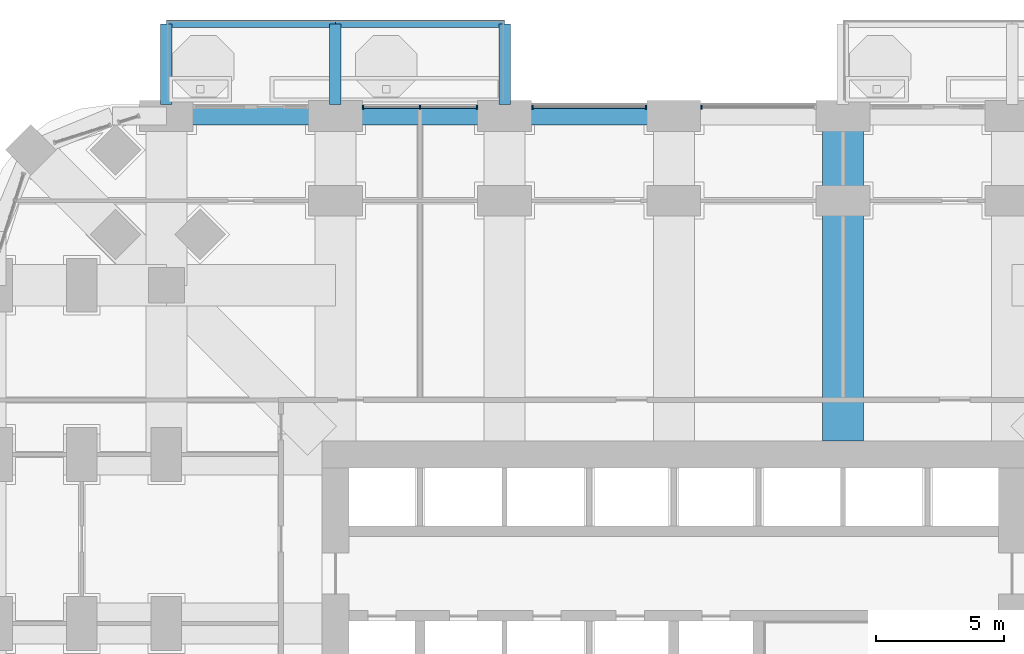
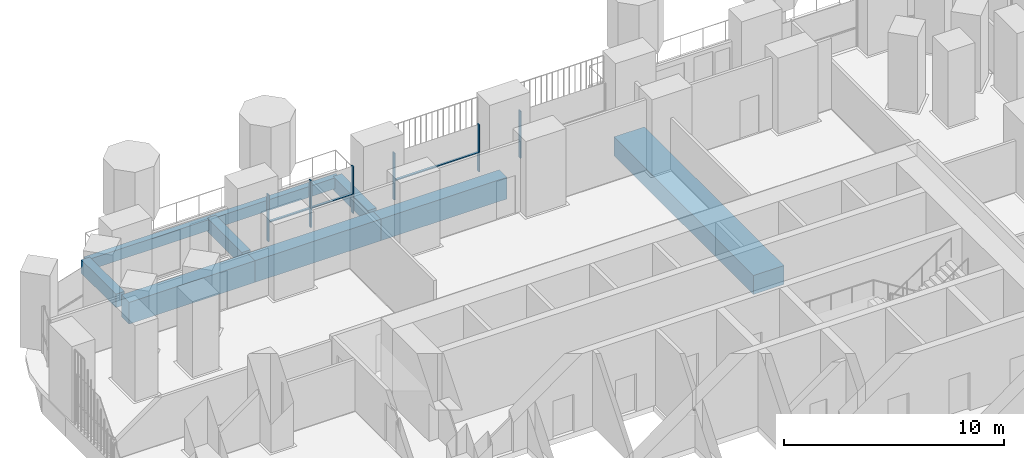
# One storey, part 8 of 27: 9 beams, 9 members, 3 elements without a shape of their own.
"""IFC4 building model written with IfcOpenShell, lengths in metres."""

from ifc_helpers import new_model, si_unit, direction, frame, origin, origin_2d, place, context, subcontext, project, spatial, rectangle, extrude, material, material_profile, profile_set, type_object, element, aggregate, save


model = new_model("IFC4")

# Units and contexts
model_context = context("Model", 3, precision=1e-05, world=origin(), true_north=direction((0.0, 1.0)))
body_context = subcontext(model_context, "Body", "Model", "MODEL_VIEW")
ifc_project = project(units=[si_unit("LENGTHUNIT", "METRE"), si_unit("AREAUNIT", "SQUARE_METRE"), si_unit("VOLUMEUNIT", "CUBIC_METRE"), si_unit("PLANEANGLEUNIT", "RADIAN"), si_unit("MASSUNIT", "GRAM", prefix="KILO")], contexts=[model_context])

# Site, building, storey
site_placement = place(None, origin())
site = spatial("IfcSite", under=ifc_project, at=site_placement, CompositionType="ELEMENT")
building_placement = place(site_placement, origin())
building = spatial("IfcBuilding", under=site, at=building_placement, Name="Cobogo Forest Laboratory Tower", CompositionType="ELEMENT")
storey_placement = place(building_placement, frame((0.0, 0.0, 63.300048828125)))
storey = spatial("IfcBuildingStorey", under=building, at=storey_placement, Name="L14", CompositionType="ELEMENT", Elevation=63.300048828125)

# Beams
ifc_material_1 = material(Name="Concrete HA-40 (C40/50)", Category="concrete")
ifc_material_profile_1 = material_profile(ifc_material_1, rectangle(XDim=0.449951171875, YDim=0.75, at=origin_2d()), Name="RC 450x750")
ifc_profile_set_1 = profile_set([ifc_material_profile_1], Name="Concrete HA-40 (C40/50)")
beam_type_1 = type_object("IfcBeamType", Name="Balcony cantilever beam 450x750", PredefinedType="BEAM", material=ifc_profile_set_1)
for number, where, z_axis, x_axis, name in (
    (1, (6.60009765625, 46.64990234375, -0.625), (0.0, 1.0, 0.0), (-1.0, 0.0, 0.0), "CB1 BAL-N1-C1 L14"),
    (2, (13.199951171875, 46.64990234375, -0.625), (0.0, 1.0, 0.0), (-1.0, 0.0, 0.0), "CB1 BAL-N1-C2 L14"),
    (3, (19.800048828125, 46.64990234375, -0.625), (0.0, 1.0, 0.0), (-1.0, 0.0, 0.0), "CB1 BAL-N1-C3 L14"),
):
    element("IfcBeam", number, at=place(storey_placement, frame(where, z_axis=z_axis, x_axis=x_axis)), inside=storey, type_object=beam_type_1, Name=name, PredefinedType="BEAM", context=body_context, shape_type="SweptSolid", body=[
        extrude(rectangle(XDim=0.449951171875, YDim=0.75, at=origin_2d()), origin(), (0.0, 0.0, 1.0), 3.150146484375),
    ])
ifc_material_profile_2 = material_profile(ifc_material_1, rectangle(XDim=0.300048828125, YDim=0.60009765625, at=origin_2d()), Name="RC 300x600")
ifc_profile_set_2 = profile_set([ifc_material_profile_2], Name="Concrete HA-40 (C40/50)")
beam_type_2 = type_object("IfcBeamType", Name="Balcony edge beam 300x600", PredefinedType="BEAM", material=ifc_profile_set_2)
beam_1_placement = place(storey_placement, frame((6.60009765625, 49.800048828125, -0.550048828125), z_axis=(1.0, 0.0, 0.0), x_axis=(0.0, 1.0, 0.0)))
element("IfcBeam", 4, at=beam_1_placement, inside=storey, type_object=beam_type_2, Name="BB1 BAL-N1-T1 L14", PredefinedType="BEAM", context=body_context, shape_type="SweptSolid", body=[
    extrude(rectangle(XDim=0.300048828125, YDim=0.60009765625, at=origin_2d()), origin(), (0.0, 0.0, 1.0), 6.599853515625),
])
beam_2_placement = place(storey_placement, frame((13.199951171875, 49.800048828125, -0.550048828125), z_axis=(1.0, 0.0, 0.0), x_axis=(0.0, 1.0, 0.0)))
element("IfcBeam", 5, at=beam_2_placement, inside=storey, type_object=beam_type_2, Name="BB1 BAL-N1-T2 L14", PredefinedType="BEAM", context=body_context, shape_type="SweptSolid", body=[
    extrude(rectangle(XDim=0.300048828125, YDim=0.60009765625, at=origin_2d()), origin(), (0.0, 0.0, 1.0), 6.60009765625),
])
ifc_material_2 = material(Name="Concrete HA-50 (C50/60)", Category="concrete")
ifc_material_profile_3 = material_profile(ifc_material_2, rectangle(XDim=1.60009765625, YDim=1.050048828125, at=origin_2d()), Name="RC 1600x1050")
ifc_profile_set_3 = profile_set([ifc_material_profile_3], Name="Concrete HA-50 (C50/60)")
beam_type_3 = type_object("IfcBeamType", Name="Laboratory floor wide beam 1600x1050", PredefinedType="BEAM", material=ifc_profile_set_3)
beam_3_placement = place(storey_placement, frame((33.0, 33.52490234375, -0.824951171875), z_axis=(0.0, 1.0, 0.0), x_axis=(-1.0, 0.0, 0.0)))
element("IfcBeam", 6, at=beam_3_placement, inside=storey, type_object=beam_type_3, Name="RB8 R-6-N L14", PredefinedType="BEAM", context=body_context, shape_type="SweptSolid", body=[
    extrude(rectangle(XDim=1.60009765625, YDim=1.050048828125, at=origin_2d()), origin(), (0.0, 0.0, 1.0), 12.675048828125),
])

# Curtain wall, member
ifc_material_3 = material(Name="Aluminium curtain wall", Category="aluminium")
curtain_wall_type = type_object("IfcCurtainWallType", Name="CW-1 unitised curtain wall, clear glazing, laboratory floors zones A and B", PredefinedType="USERDEFINED", material=ifc_material_3)
curtain_wall_1_placement = place(storey_placement, origin())
curtain_wall_1 = element("IfcCurtainWall", 7, at=curtain_wall_1_placement, inside=storey, type_object=curtain_wall_type, Name="Curtain wall 20 L14", ObjectType="UNITISED CURTAIN WALL", PredefinedType="USERDEFINED")
ifc_material_4 = material(Name="Aluminium mullion", Category="aluminium")
ifc_material_profile_4 = material_profile(ifc_material_4, rectangle(XDim=0.06005859375, YDim=0.159912109375, at=origin_2d()), Name="AL 60x160")
ifc_profile_set_4 = profile_set([ifc_material_profile_4], Name="Aluminium mullion")
member_type_1 = type_object("IfcMemberType", Name="MU-1 aluminium mullion 60x160", PredefinedType="MULLION", material=ifc_profile_set_4)
member_1_placement = place(storey_placement, frame((27.47998046875, 46.550048828125, 0.0), z_axis=(0.0, 0.0, 1.0), x_axis=(-1.0, 0.0, 0.0)))
member_1 = element("IfcMember", 8, at=member_1_placement, type_object=member_type_1, Name="CW-1 mullion 2", PredefinedType="MULLION", context=body_context, shape_type="SweptSolid", body=[
    extrude(rectangle(XDim=0.06005859375, YDim=0.159912109375, at=origin_2d()), origin(), (0.0, 0.0, 1.0), 2.599853515625),
])
aggregate(curtain_wall_1, [member_1])

# Curtain wall, members
curtain_wall_2_placement = place(storey_placement, origin())
curtain_wall_2 = element("IfcCurtainWall", 9, at=curtain_wall_2_placement, inside=storey, type_object=curtain_wall_type, Name="Curtain wall 21 L14", ObjectType="UNITISED CURTAIN WALL", PredefinedType="USERDEFINED")
member_2_placement = place(storey_placement, frame((25.320068359375, 46.550048828125, 0.0), z_axis=(0.0, 0.0, 1.0), x_axis=(-1.0, 0.0, 0.0)))
member_2 = element("IfcMember", 10, at=member_2_placement, type_object=member_type_1, Name="CW-1 mullion 1", PredefinedType="MULLION", context=body_context, shape_type="SweptSolid", body=[
    extrude(rectangle(XDim=0.06005859375, YDim=0.159912109375, at=origin_2d()), origin(), (0.0, 0.0, 1.0), 2.599853515625),
])
member_3_placement = place(storey_placement, frame((20.8798828125, 46.550048828125, 0.0), z_axis=(0.0, 0.0, 1.0), x_axis=(-1.0, 0.0, 0.0)))
member_3 = element("IfcMember", 11, at=member_3_placement, type_object=member_type_1, Name="CW-1 mullion 2", PredefinedType="MULLION", context=body_context, shape_type="SweptSolid", body=[
    extrude(rectangle(XDim=0.06005859375, YDim=0.159912109375, at=origin_2d()), origin(), (0.0, 0.0, 1.0), 2.599853515625),
])

curtain_wall_3_placement = place(storey_placement, origin())
curtain_wall_3 = element("IfcCurtainWall", 12, at=curtain_wall_3_placement, inside=storey, type_object=curtain_wall_type, Name="Curtain wall 22 L14", ObjectType="UNITISED CURTAIN WALL", PredefinedType="USERDEFINED")
member_4_placement = place(storey_placement, frame((18.719970703125, 46.550048828125, 0.0), z_axis=(0.0, 0.0, 1.0), x_axis=(-1.0, 0.0, 0.0)))
member_4 = element("IfcMember", 13, at=member_4_placement, type_object=member_type_1, Name="CW-1 mullion 1", PredefinedType="MULLION", context=body_context, shape_type="SweptSolid", body=[
    extrude(rectangle(XDim=0.06005859375, YDim=0.159912109375, at=origin_2d()), origin(), (0.0, 0.0, 1.0), 2.599853515625),
])
member_5_placement = place(storey_placement, frame((16.5, 46.550048828125, 0.0), z_axis=(0.0, 0.0, 1.0), x_axis=(-1.0, 0.0, 0.0)))
member_5 = element("IfcMember", 14, at=member_5_placement, type_object=member_type_1, Name="CW-1 mullion 2", PredefinedType="MULLION", context=body_context, shape_type="SweptSolid", body=[
    extrude(rectangle(XDim=0.06005859375, YDim=0.159912109375, at=origin_2d()), origin(), (0.0, 0.0, 1.0), 2.599853515625),
])
member_6_placement = place(storey_placement, frame((14.280029296875, 46.550048828125, 0.0), z_axis=(0.0, 0.0, 1.0), x_axis=(-1.0, 0.0, 0.0)))
member_6 = element("IfcMember", 15, at=member_6_placement, type_object=member_type_1, Name="CW-1 mullion 3", PredefinedType="MULLION", context=body_context, shape_type="SweptSolid", body=[
    extrude(rectangle(XDim=0.06005859375, YDim=0.159912109375, at=origin_2d()), origin(), (0.0, 0.0, 1.0), 2.599853515625),
])

# Beams
ifc_material_profile_5 = material_profile(ifc_material_1, rectangle(XDim=0.699951171875, YDim=1.199951171875, at=origin_2d()), Name="RC 700x1200")
ifc_profile_set_5 = profile_set([ifc_material_profile_5], Name="Concrete HA-40 (C40/50)")
beam_type_4 = type_object("IfcBeamType", Name="Perimeter edge beam 700x1200", PredefinedType="BEAM", material=ifc_profile_set_5)
beam_4_placement = place(storey_placement, frame((6.60009765625, 46.199951171875, -0.900146484375), z_axis=(1.0, 0.0, 0.0), x_axis=(0.0, 1.0, 0.0)))
element("IfcBeam", 16, at=beam_4_placement, inside=storey, type_object=beam_type_4, Name="EB1 E-N1 L14", PredefinedType="BEAM", context=body_context, shape_type="SweptSolid", body=[
    extrude(rectangle(XDim=0.699951171875, YDim=1.199951171875, at=origin_2d()), origin(), (0.0, 0.0, 1.0), 6.599853515625),
])
beam_5_placement = place(storey_placement, frame((13.199951171875, 46.199951171875, -0.900146484375), z_axis=(1.0, 0.0, 0.0), x_axis=(0.0, 1.0, 0.0)))
element("IfcBeam", 17, at=beam_5_placement, inside=storey, type_object=beam_type_4, Name="EB1 E-N2 L14", PredefinedType="BEAM", context=body_context, shape_type="SweptSolid", body=[
    extrude(rectangle(XDim=0.699951171875, YDim=1.199951171875, at=origin_2d()), origin(), (0.0, 0.0, 1.0), 6.60009765625),
])
beam_6_placement = place(storey_placement, frame((19.800048828125, 46.199951171875, -0.900146484375), z_axis=(1.0, 0.0, 0.0), x_axis=(0.0, 1.0, 0.0)))
element("IfcBeam", 18, at=beam_6_placement, inside=storey, type_object=beam_type_4, Name="EB1 E-N3 L14", PredefinedType="BEAM", context=body_context, shape_type="SweptSolid", body=[
    extrude(rectangle(XDim=0.699951171875, YDim=1.199951171875, at=origin_2d()), origin(), (0.0, 0.0, 1.0), 6.599853515625),
])

# Member
ifc_material_5 = material(Name="Aluminium transom", Category="aluminium")
ifc_material_profile_6 = material_profile(ifc_material_5, rectangle(XDim=0.1201171875, YDim=0.06005859375, at=origin_2d()), Name="AL 60x120")
ifc_profile_set_6 = profile_set([ifc_material_profile_6], Name="Aluminium transom")
member_type_2 = type_object("IfcMemberType", Name="TR-1 aluminium transom 60x120", PredefinedType="USERDEFINED", material=ifc_profile_set_6)
member_7_placement = place(storey_placement, frame((25.2900390625, 46.550048828125, 1.050048828125), z_axis=(-1.0, 0.0, 0.0), x_axis=(0.0, -1.0, 0.0)))
member_7 = element("IfcMember", 19, at=member_7_placement, type_object=member_type_2, Name="CW-1 transom 1.1", ObjectType="TRANSOM", PredefinedType="USERDEFINED", context=body_context, shape_type="SweptSolid", body=[
    extrude(rectangle(XDim=0.1201171875, YDim=0.06005859375, at=origin_2d()), origin(), (0.0, 0.0, 1.0), 4.380126953125),
])

aggregate(curtain_wall_2, [member_2, member_3, member_7])

member_8_placement = place(storey_placement, frame((18.68994140625, 46.550048828125, 1.050048828125), z_axis=(-1.0, 0.0, 0.0), x_axis=(0.0, -1.0, 0.0)))
member_8 = element("IfcMember", 20, at=member_8_placement, type_object=member_type_2, Name="CW-1 transom 1.1", ObjectType="TRANSOM", PredefinedType="USERDEFINED", context=body_context, shape_type="SweptSolid", body=[
    extrude(rectangle(XDim=0.1201171875, YDim=0.06005859375, at=origin_2d()), origin(), (0.0, 0.0, 1.0), 2.159912109375),
])

member_9_placement = place(storey_placement, frame((16.469970703125, 46.550048828125, 1.050048828125), z_axis=(-1.0, 0.0, 0.0), x_axis=(0.0, -1.0, 0.0)))
member_9 = element("IfcMember", 21, at=member_9_placement, type_object=member_type_2, Name="CW-1 transom 2.1", ObjectType="TRANSOM", PredefinedType="USERDEFINED", context=body_context, shape_type="SweptSolid", body=[
    extrude(rectangle(XDim=0.1201171875, YDim=0.06005859375, at=origin_2d()), origin(), (0.0, 0.0, 1.0), 2.159912109375),
])

aggregate(curtain_wall_3, [member_4, member_5, member_6, member_8, member_9])

save(model, "model.ifc")
